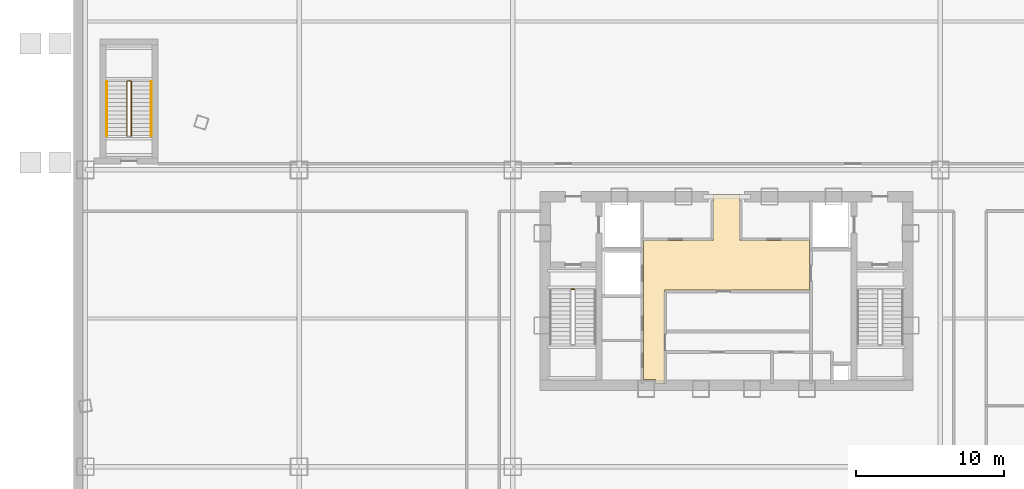
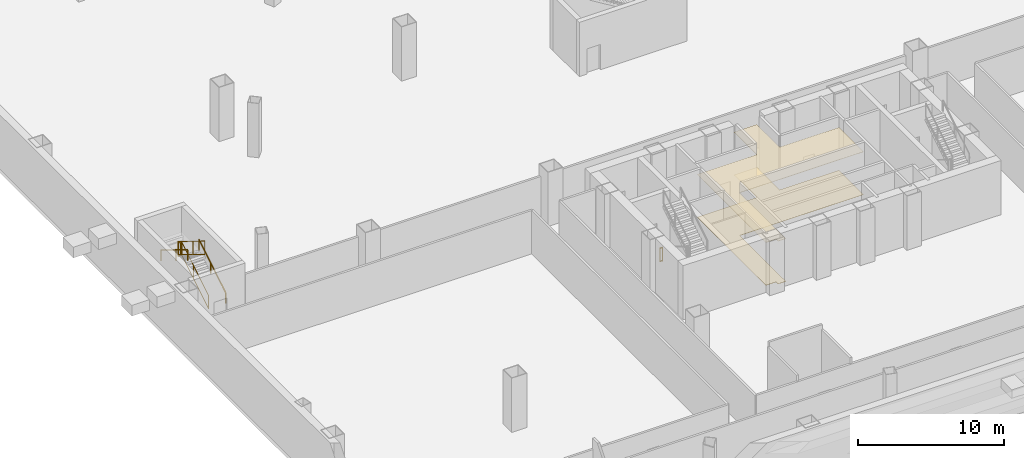
# One storey, part 14 of 16: 6 railings, 2 coverings.
"""IFC4 building model written with IfcOpenShell, lengths in metres."""

from ifc_helpers import new_model, si_unit, direction, frame, origin, origin_2d, place, context, subcontext, project, spatial, polyline, rectangle, outline, extrude, material, layer, layer_set, type_object, element, save


model = new_model("IFC4")

# Units and contexts
model_context = context("Model", 3, precision=1e-05, world=origin(), true_north=direction((0.0, 1.0)))
body_context = subcontext(model_context, "Body", "Model", "MODEL_VIEW")
ifc_project = project(units=[si_unit("LENGTHUNIT", "METRE"), si_unit("AREAUNIT", "SQUARE_METRE"), si_unit("VOLUMEUNIT", "CUBIC_METRE"), si_unit("PLANEANGLEUNIT", "RADIAN"), si_unit("MASSUNIT", "GRAM", prefix="KILO"), si_unit("THERMODYNAMICTEMPERATUREUNIT", "KELVIN"), si_unit("POWERUNIT", "WATT")], contexts=[model_context])

# Site, building, storey
site_placement = place(None, origin())
site = spatial("IfcSite", under=ifc_project, at=site_placement, CompositionType="ELEMENT")
building_placement = place(site_placement, origin())
building = spatial("IfcBuilding", under=site, at=building_placement, Name="Yunzhuo Pagoda Commons", CompositionType="ELEMENT")
storey_placement = place(building_placement, frame((0.0, 0.0, -4.800048828125)))
storey = spatial("IfcBuildingStorey", under=building, at=storey_placement, Name="B01", CompositionType="ELEMENT", Elevation=-4.800048828125)

# Coverings
ifc_material_1 = material(Name="Mineral fibre acoustic ceiling board")
ifc_layer_1 = layer(ifc_material_1, 0.02490234375)
ifc_layer_set_1 = layer_set([ifc_layer_1], Name="Mineral fibre acoustic ceiling board")
covering_type_1 = type_object("IfcCoveringType", Name="COV-CL1 Ceiling 25", PredefinedType="CEILING", material=ifc_layer_set_1)
covering_1_placement = place(storey_placement, frame((0.0, 0.0, 3.570068359375)))
element("IfcCovering", 1, at=covering_1_placement, inside=storey, type_object=covering_type_1, Name="B01 lift lobby acoustic ceiling", PredefinedType="CEILING", context=body_context, shape_type="SweptSolid", body=[
    extrude(outline(polyline([(43.207763671875, 27.85009765625), (43.201904296875, 27.864013671875), (43.187744140625, 27.8701171875), (42.39990234375, 27.8701171875), (42.39990234375, 33.89990234375), (42.39990234375, 37.25), (47.10009765625, 37.25), (47.10009765625, 40.35009765625), (48.89990234375, 40.35009765625), (48.89990234375, 37.25), (53.580078125, 37.25), (53.580078125, 33.89990234375), (43.820068359375, 33.89990234375), (43.820068359375, 27.60009765625), (43.207763671875, 27.60009765625), (43.207763671875, 27.85009765625)])), origin(), (0.0, 0.0, 1.0), 0.02490234375),
])
ifc_material_2 = material(Name="Porcelain ceramic floor tile")
ifc_layer_2 = layer(ifc_material_2, 0.02001953125)
ifc_layer_set_2 = layer_set([ifc_layer_2], Name="Porcelain ceramic floor tile")
covering_type_2 = type_object("IfcCoveringType", Name="COV-FL1 Flooring 20", PredefinedType="FLOORING", material=ifc_layer_set_2)
covering_2_placement = place(storey_placement, origin())
element("IfcCovering", 2, at=covering_2_placement, inside=storey, type_object=covering_type_2, Name="B01 lift lobby flooring", PredefinedType="FLOORING", context=body_context, shape_type="SweptSolid", body=[
    extrude(outline(polyline([(43.207763671875, 27.85009765625), (43.201904296875, 27.864013671875), (43.187744140625, 27.8701171875), (42.39990234375, 27.8701171875), (42.39990234375, 33.89990234375), (42.39990234375, 37.25), (47.10009765625, 37.25), (47.10009765625, 40.35009765625), (48.89990234375, 40.35009765625), (48.89990234375, 37.25), (53.580078125, 37.25), (53.580078125, 33.89990234375), (43.820068359375, 33.89990234375), (43.820068359375, 27.60009765625), (43.207763671875, 27.60009765625), (43.207763671875, 27.85009765625)])), origin(), (0.0, 0.0, 1.0), 0.02001953125),
])

# Railings
ifc_material_3 = material(Name="Anodized aluminium 6063-T6", Category="aluminium")
railing_type_1 = type_object("IfcRailingType", Name="GR-PS3 Podium Well Guardrail 1150", PredefinedType="GUARDRAIL", material=ifc_material_3)
railing_1_placement = place(storey_placement, frame((7.89990234375, 44.300048828125, 0.17138671875)))
element("IfcRailing", 3, at=railing_1_placement, inside=storey, type_object=railing_type_1, Name="B01 PS3 stair guard 1", PredefinedType="GUARDRAIL", context=body_context, shape_type="SweptSolid", body=[
    extrude(rectangle(XDim=0.048095703125, YDim=0.048095703125, at=origin_2d()), frame((0.0, 0.0, 1.1259765625), z_axis=(0.0, 0.852824790078, 0.522197163366), x_axis=(-1.0, 0.0, 0.0)), (0.0, 0.0, 1.0), 4.26806640625),
    extrude(rectangle(XDim=0.048095703125, YDim=0.048095703125, at=origin_2d()), frame((0.0, 0.0, 0.02392578125), z_axis=(0.0, 0.852824790078, 0.522197163366), x_axis=(-1.0, 0.0, 0.0)), (0.0, 0.0, 1.0), 4.26806640625),
    extrude(rectangle(XDim=0.0419921875, YDim=0.0419921875, at=origin_2d()), origin(), (0.0, 0.0, 1.0), 1.101806640625),
    extrude(rectangle(XDim=0.0419921875, YDim=0.0419921875, at=origin_2d()), frame((0.0, 2.046875, 1.253173828125)), (0.0, 0.0, 1.0), 1.101806640625),
    extrude(rectangle(XDim=0.0419921875, YDim=0.0419921875, at=origin_2d()), frame((0.0, 3.639892578125, 2.228759765625)), (0.0, 0.0, 1.0), 1.101806640625),
])
railing_2_placement = place(storey_placement, frame((7.85009765625, 47.989990234375, 2.400146484375)))
element("IfcRailing", 4, at=railing_2_placement, inside=storey, type_object=railing_type_1, Name="B01 PS3 stair guard 2", PredefinedType="GUARDRAIL", context=body_context, shape_type="SweptSolid", body=[
    extrude(rectangle(XDim=0.048095703125, YDim=0.048095703125, at=origin_2d()), frame((0.0, 0.0, 1.1259765625), z_axis=(-1.0, 0.0, 0.0), x_axis=(0.0, -1.0, 0.0)), (0.0, 0.0, 1.0), 0.2001953125),
    extrude(rectangle(XDim=0.048095703125, YDim=0.048095703125, at=origin_2d()), frame((0.0, 0.0, 0.02392578125), z_axis=(-1.0, 0.0, 0.0), x_axis=(0.0, -1.0, 0.0)), (0.0, 0.0, 1.0), 0.2001953125),
    extrude(rectangle(XDim=0.0419921875, YDim=0.0419921875, at=origin_2d()), origin(), (0.0, 0.0, 1.0), 1.101806640625),
    extrude(rectangle(XDim=0.0419921875, YDim=0.0419921875, at=origin_2d()), frame((-0.2001953125, 0.0, 0.0)), (0.0, 0.0, 1.0), 1.101806640625),
])
railing_3_placement = place(storey_placement, frame((7.60009765625, 47.93994140625, 2.571533203125)))
element("IfcRailing", 5, at=railing_3_placement, inside=storey, type_object=railing_type_1, Name="B01 PS3 stair guard 3", PredefinedType="GUARDRAIL", context=body_context, shape_type="SweptSolid", body=[
    extrude(rectangle(XDim=0.048095703125, YDim=0.048095703125, at=origin_2d()), frame((0.0, 0.0, 1.1259765625), z_axis=(0.0, -0.852850264322, 0.5221555579), x_axis=(1.0, 0.0, 0.0)), (0.0, 0.0, 1.0), 4.267822265625),
    extrude(rectangle(XDim=0.048095703125, YDim=0.048095703125, at=origin_2d()), frame((0.0, 0.0, 0.02392578125), z_axis=(0.0, -0.852850264322, 0.5221555579), x_axis=(1.0, 0.0, 0.0)), (0.0, 0.0, 1.0), 4.267822265625),
    extrude(rectangle(XDim=0.0419921875, YDim=0.0419921875, at=origin_2d()), origin(), (0.0, 0.0, 1.0), 1.101806640625),
    extrude(rectangle(XDim=0.0419921875, YDim=0.0419921875, at=origin_2d()), frame((0.0, -2.046875, 1.253173828125)), (0.0, 0.0, 1.0), 1.101806640625),
    extrude(rectangle(XDim=0.0419921875, YDim=0.0419921875, at=origin_2d()), frame((0.0, -3.639892578125, 2.228515625)), (0.0, 0.0, 1.0), 1.101806640625),
])
railing_type_2 = type_object("IfcRailingType", Name="GR-ST1 Stair Well Guardrail 1150", PredefinedType="GUARDRAIL", material=ifc_material_3)
railing_4_placement = place(storey_placement, frame((37.550048828125, 33.949951171875, 0.0)))
element("IfcRailing", 6, at=railing_4_placement, inside=storey, type_object=railing_type_2, Name="B01 ST1 stair guard 4", PredefinedType="GUARDRAIL", context=body_context, shape_type="SweptSolid", body=[
    extrude(rectangle(XDim=0.048095703125, YDim=0.048095703125, at=origin_2d()), frame((0.0, 0.0, 1.1259765625), z_axis=(1.0, 0.0, 0.0), x_axis=(0.0, 1.0, 0.0)), (0.0, 0.0, 1.0), 0.199951171875),
    extrude(rectangle(XDim=0.048095703125, YDim=0.048095703125, at=origin_2d()), frame((0.0, 0.0, 0.02392578125), z_axis=(1.0, 0.0, 0.0), x_axis=(0.0, 1.0, 0.0)), (0.0, 0.0, 1.0), 0.199951171875),
    extrude(rectangle(XDim=0.0419921875, YDim=0.0419921875, at=origin_2d()), origin(), (0.0, 0.0, 1.0), 1.101806640625),
    extrude(rectangle(XDim=0.0419921875, YDim=0.0419921875, at=origin_2d()), frame((0.199951171875, 0.0, 0.0)), (0.0, 0.0, 1.0), 1.101806640625),
])
railing_type_3 = type_object("IfcRailingType", Name="HR-PS3 Podium Stair Handrail 900", PredefinedType="HANDRAIL", material=ifc_material_3)
railing_5_placement = place(storey_placement, frame((9.25, 44.300048828125, 0.17138671875)))
element("IfcRailing", 7, at=railing_5_placement, inside=storey, type_object=railing_type_3, Name="B01 PS3 stair handrail 1", PredefinedType="HANDRAIL", context=body_context, shape_type="SweptSolid", body=[
    extrude(rectangle(XDim=0.048095703125, YDim=0.048095703125, at=origin_2d()), frame((0.0, 0.0, 0.8759765625), z_axis=(0.0, 0.852824790078, 0.522197163366), x_axis=(-1.0, 0.0, 0.0)), (0.0, 0.0, 1.0), 4.26806640625),
    extrude(rectangle(XDim=0.0419921875, YDim=0.0419921875, at=origin_2d()), origin(), (0.0, 0.0, 1.0), 0.851806640625),
    extrude(rectangle(XDim=0.0419921875, YDim=0.0419921875, at=origin_2d()), frame((0.0, 2.046875, 1.253173828125)), (0.0, 0.0, 1.0), 0.851806640625),
    extrude(rectangle(XDim=0.0419921875, YDim=0.0419921875, at=origin_2d()), frame((0.0, 3.639892578125, 2.228759765625)), (0.0, 0.0, 1.0), 0.851806640625),
])
railing_6_placement = place(storey_placement, frame((6.25, 47.93994140625, 2.571533203125)))
element("IfcRailing", 8, at=railing_6_placement, inside=storey, type_object=railing_type_3, Name="B01 PS3 stair handrail 2", PredefinedType="HANDRAIL", context=body_context, shape_type="SweptSolid", body=[
    extrude(rectangle(XDim=0.048095703125, YDim=0.048095703125, at=origin_2d()), frame((0.0, 0.0, 0.8759765625), z_axis=(0.0, -0.852850264322, 0.5221555579), x_axis=(1.0, 0.0, 0.0)), (0.0, 0.0, 1.0), 4.267822265625),
    extrude(rectangle(XDim=0.0419921875, YDim=0.0419921875, at=origin_2d()), origin(), (0.0, 0.0, 1.0), 0.851806640625),
    extrude(rectangle(XDim=0.0419921875, YDim=0.0419921875, at=origin_2d()), frame((0.0, -2.046875, 1.253173828125)), (0.0, 0.0, 1.0), 0.851806640625),
    extrude(rectangle(XDim=0.0419921875, YDim=0.0419921875, at=origin_2d()), frame((0.0, -3.639892578125, 2.228515625)), (0.0, 0.0, 1.0), 0.851806640625),
])

save(model, "model.ifc")
